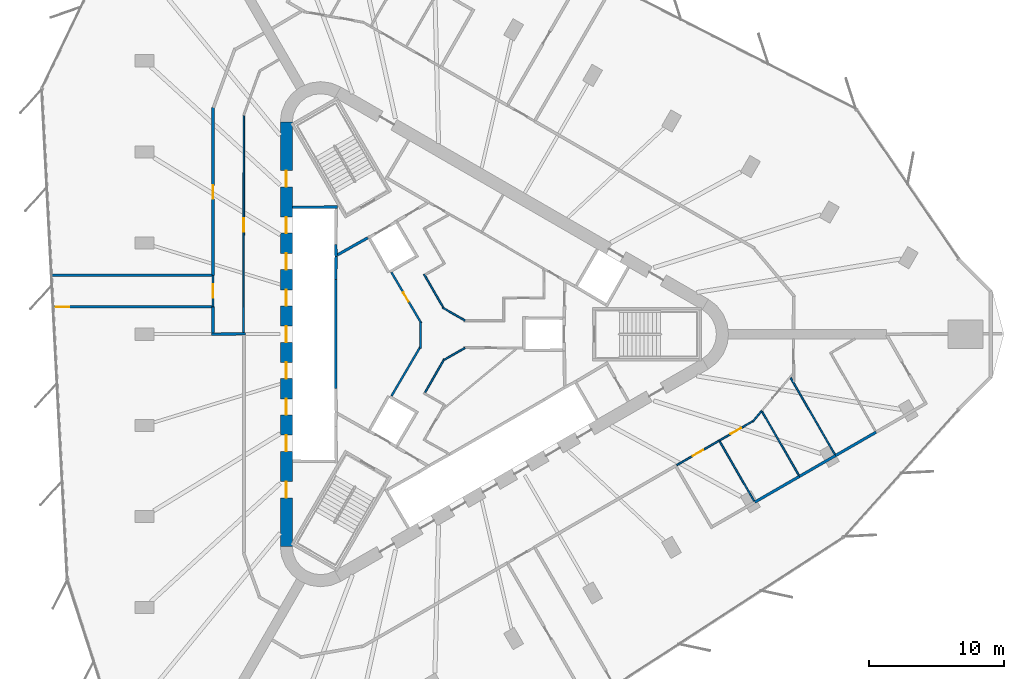
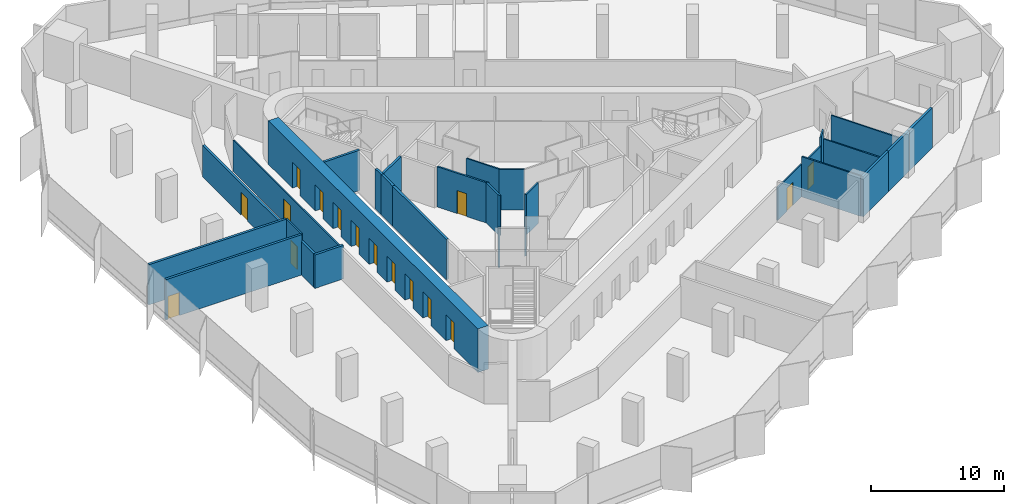
# One storey, part 9 of 14: 29 walls, 16 doors, 16 openings.
"""IFC4 building model written with IfcOpenShell, lengths in metres."""

from ifc_helpers import new_model, si_unit, direction, frame, frame_2d, origin, place, context, subcontext, project, spatial, rectangle, extrude, material, layer, layer_set, type_object, element, fill, save


model = new_model("IFC4")

# Units and contexts
model_context = context("Model", 3, precision=1e-05, world=origin(), true_north=direction((0.0, 1.0)))
body_context = subcontext(model_context, "Body", "Model", "MODEL_VIEW")
ifc_project = project(units=[si_unit("LENGTHUNIT", "METRE"), si_unit("AREAUNIT", "SQUARE_METRE"), si_unit("VOLUMEUNIT", "CUBIC_METRE"), si_unit("PLANEANGLEUNIT", "RADIAN"), si_unit("MASSUNIT", "GRAM", prefix="KILO")], contexts=[model_context])

# Site, building, storey
site_placement = place(None, origin())
site = spatial("IfcSite", under=ifc_project, at=site_placement, CompositionType="ELEMENT")
building_placement = place(site_placement, origin())
building = spatial("IfcBuilding", under=site, at=building_placement, Name="Tanit Gate Tower", CompositionType="ELEMENT")
storey_placement = place(building_placement, frame((0.0, 0.0, 209.199951171875)))
storey = spatial("IfcBuildingStorey", under=building, at=storey_placement, Name="L46", CompositionType="ELEMENT", Elevation=209.199951171875)

# Wall, openings, doors
ifc_material_1 = material(Name="Concrete C50/60", Category="concrete")
ifc_layer_1 = layer(ifc_material_1, 0.89990234375)
ifc_layer_set_1 = layer_set([ifc_layer_1], Name="CORE WALL 900 C50/60")
wall_type_1 = type_object("IfcWallType", Name="CORE WALL 900 C50/60", PredefinedType="SHEAR", material=ifc_layer_set_1)
wall_1_placement = place(storey_placement, frame((-11.64990234375, 15.76171875, 0.0), z_axis=(0.0, 0.0, 1.0), x_axis=(0.0, -1.0, 0.0)))
wall_1 = element("IfcWall", 1, at=wall_1_placement, inside=storey, type_object=wall_type_1, Name="CORE WALL", PredefinedType="SHEAR", context=body_context, shape_type="SweptSolid", body=[
    extrude(rectangle(XDim=31.5234375, YDim=0.89990234375, at=frame_2d((15.76171875, 0.0))), origin(), (0.0, 0.0, 1.0), 4.0),
])
opening_1_placement = place(wall_1_placement, frame((7.061767578125, 0.0, 0.0)))
opening_1 = element("IfcOpeningElement", 2, at=opening_1_placement, cuts=wall_1, Name="Opening LDML1-S12", PredefinedType="OPENING", context=body_context, shape_type="SweptSolid", body=[
    extrude(rectangle(XDim=1.199951171875, YDim=2.39990234375, at=frame_2d((0.60009765625, 1.199951171875))), frame((0.0, 0.4599609375, 0.0), z_axis=(0.0, -1.0, 0.0), x_axis=(1.0, 0.0, 0.0)), (0.0, 0.0, 1.0), 0.919921875),
])
opening_2_placement = place(wall_1_placement, frame((9.76171875, 0.0, 0.0)))
opening_2 = element("IfcOpeningElement", 3, at=opening_2_placement, cuts=wall_1, Name="Opening LDML2-S12", PredefinedType="OPENING", context=body_context, shape_type="SweptSolid", body=[
    extrude(rectangle(XDim=1.199951171875, YDim=2.39990234375, at=frame_2d((0.60009765625, 1.199951171875))), frame((0.0, 0.4599609375, 0.0), z_axis=(0.0, -1.0, 0.0), x_axis=(1.0, 0.0, 0.0)), (0.0, 0.0, 1.0), 0.919921875),
])
opening_3_placement = place(wall_1_placement, frame((12.461669921875, 0.0, 0.0)))
opening_3 = element("IfcOpeningElement", 4, at=opening_3_placement, cuts=wall_1, Name="Opening LDML3-S12", PredefinedType="OPENING", context=body_context, shape_type="SweptSolid", body=[
    extrude(rectangle(XDim=1.199951171875, YDim=2.39990234375, at=frame_2d((0.60009765625, 1.199951171875))), frame((0.0, 0.4599609375, 0.0), z_axis=(0.0, -1.0, 0.0), x_axis=(1.0, 0.0, 0.0)), (0.0, 0.0, 1.0), 0.919921875),
])
opening_4_placement = place(wall_1_placement, frame((15.16162109375, 0.0, 0.0)))
opening_4 = element("IfcOpeningElement", 5, at=opening_4_placement, cuts=wall_1, Name="Opening LDML4-S12", PredefinedType="OPENING", context=body_context, shape_type="SweptSolid", body=[
    extrude(rectangle(XDim=1.199951171875, YDim=2.39990234375, at=frame_2d((0.60009765625, 1.199951171875))), frame((0.0, 0.4599609375, 0.0), z_axis=(0.0, -1.0, 0.0), x_axis=(1.0, 0.0, 0.0)), (0.0, 0.0, 1.0), 0.919921875),
])
opening_5_placement = place(wall_1_placement, frame((17.86181640625, 0.0, 0.0)))
opening_5 = element("IfcOpeningElement", 6, at=opening_5_placement, cuts=wall_1, Name="Opening LDML5-S12", PredefinedType="OPENING", context=body_context, shape_type="SweptSolid", body=[
    extrude(rectangle(XDim=1.199951171875, YDim=2.39990234375, at=frame_2d((0.60009765625, 1.199951171875))), frame((0.0, 0.4599609375, 0.0), z_axis=(0.0, -1.0, 0.0), x_axis=(1.0, 0.0, 0.0)), (0.0, 0.0, 1.0), 0.919921875),
])
opening_6_placement = place(wall_1_placement, frame((20.561767578125, 0.0, 0.0)))
opening_6 = element("IfcOpeningElement", 7, at=opening_6_placement, cuts=wall_1, Name="Opening LDML6-S12", PredefinedType="OPENING", context=body_context, shape_type="SweptSolid", body=[
    extrude(rectangle(XDim=1.199951171875, YDim=2.39990234375, at=frame_2d((0.60009765625, 1.199951171875))), frame((0.0, 0.4599609375, 0.0), z_axis=(0.0, -1.0, 0.0), x_axis=(1.0, 0.0, 0.0)), (0.0, 0.0, 1.0), 0.919921875),
])
opening_7_placement = place(wall_1_placement, frame((23.26171875, 0.0, 0.0)))
opening_7 = element("IfcOpeningElement", 8, at=opening_7_placement, cuts=wall_1, Name="Opening LDML7-S12", PredefinedType="OPENING", context=body_context, shape_type="SweptSolid", body=[
    extrude(rectangle(XDim=1.199951171875, YDim=2.39990234375, at=frame_2d((0.60009765625, 1.199951171875))), frame((0.0, 0.4599609375, 0.0), z_axis=(0.0, -1.0, 0.0), x_axis=(1.0, 0.0, 0.0)), (0.0, 0.0, 1.0), 0.919921875),
])
opening_8_placement = place(wall_1_placement, frame((3.61181640625, 0.0, 0.0)))
opening_8 = element("IfcOpeningElement", 9, at=opening_8_placement, cuts=wall_1, Name="Opening F12-S12-FL2", PredefinedType="OPENING", context=body_context, shape_type="SweptSolid", body=[
    extrude(rectangle(XDim=1.199951171875, YDim=2.39990234375, at=frame_2d((0.60009765625, 1.199951171875))), frame((0.0, 0.4599609375, 0.0), z_axis=(0.0, -1.0, 0.0), x_axis=(1.0, 0.0, 0.0)), (0.0, 0.0, 1.0), 0.919921875),
])
opening_9_placement = place(wall_1_placement, frame((26.711669921875, 0.0, 0.0)))
opening_9 = element("IfcOpeningElement", 10, at=opening_9_placement, cuts=wall_1, Name="Opening F12-S12-S3", PredefinedType="OPENING", context=body_context, shape_type="SweptSolid", body=[
    extrude(rectangle(XDim=1.199951171875, YDim=2.39990234375, at=frame_2d((0.60009765625, 1.199951171875))), frame((0.0, 0.4599609375, 0.0), z_axis=(0.0, -1.0, 0.0), x_axis=(1.0, 0.0, 0.0)), (0.0, 0.0, 1.0), 0.919921875),
])
ifc_material_2 = material(Name="Fire-rated steel door leaf", Category="steel")
door_type_1 = type_object("IfcDoorType", Name="INT-DOOR-FIRE-LOBBY-1200", OperationType="NOTDEFINED", PredefinedType="USERDEFINED", material=ifc_material_2)
door_1_placement = place(opening_8_placement, origin())
door_1 = element("IfcDoor", 11, at=door_1_placement, inside=storey, type_object=door_type_1, Name="Door F12-S12-FL2", ObjectType="FIRE DOOR", OperationType="SINGLE_SWING_LEFT", OverallHeight=2.39990234375, OverallWidth=1.199951171875, PredefinedType="USERDEFINED", context=body_context, shape_type="SweptSolid", body=[
    extrude(rectangle(XDim=1.199951171875, YDim=2.39990234375, at=frame_2d((0.60009765625, 1.199951171875))), frame((0.0, 0.02490234375, 0.0), z_axis=(0.0, -1.0, 0.0), x_axis=(1.0, 0.0, 0.0)), (0.0, 0.0, 1.0), 0.050048828125),
])
fill(opening_8, door_1)
door_2_placement = place(opening_9_placement, origin())
door_2 = element("IfcDoor", 12, at=door_2_placement, inside=storey, type_object=door_type_1, Name="Door F12-S12-S3", ObjectType="FIRE DOOR", OperationType="SINGLE_SWING_LEFT", OverallHeight=2.39990234375, OverallWidth=1.199951171875, PredefinedType="USERDEFINED", context=body_context, shape_type="SweptSolid", body=[
    extrude(rectangle(XDim=1.199951171875, YDim=2.39990234375, at=frame_2d((0.60009765625, 1.199951171875))), frame((0.0, 0.02490234375, 0.0), z_axis=(0.0, -1.0, 0.0), x_axis=(1.0, 0.0, 0.0)), (0.0, 0.0, 1.0), 0.050048828125),
])
fill(opening_9, door_2)
ifc_material_3 = material(Name="Stainless steel sliding door leaf", Category="steel")
door_type_2 = type_object("IfcDoorType", Name="INT-DOOR-LANDING-1200", OperationType="NOTDEFINED", PredefinedType="USERDEFINED", material=ifc_material_3)
door_3_placement = place(opening_1_placement, origin())
door_3 = element("IfcDoor", 13, at=door_3_placement, inside=storey, type_object=door_type_2, Name="Door LDML1-S12", ObjectType="LANDING DOOR", OperationType="SLIDING_TO_LEFT", OverallHeight=2.39990234375, OverallWidth=1.199951171875, PredefinedType="USERDEFINED", context=body_context, shape_type="SweptSolid", body=[
    extrude(rectangle(XDim=1.199951171875, YDim=2.39990234375, at=frame_2d((0.60009765625, 1.199951171875))), frame((0.0, 0.02490234375, 0.0), z_axis=(0.0, -1.0, 0.0), x_axis=(1.0, 0.0, 0.0)), (0.0, 0.0, 1.0), 0.050048828125),
])
fill(opening_1, door_3)
door_4_placement = place(opening_2_placement, origin())
door_4 = element("IfcDoor", 14, at=door_4_placement, inside=storey, type_object=door_type_2, Name="Door LDML2-S12", ObjectType="LANDING DOOR", OperationType="SLIDING_TO_LEFT", OverallHeight=2.39990234375, OverallWidth=1.199951171875, PredefinedType="USERDEFINED", context=body_context, shape_type="SweptSolid", body=[
    extrude(rectangle(XDim=1.199951171875, YDim=2.39990234375, at=frame_2d((0.60009765625, 1.199951171875))), frame((0.0, 0.02490234375, 0.0), z_axis=(0.0, -1.0, 0.0), x_axis=(1.0, 0.0, 0.0)), (0.0, 0.0, 1.0), 0.050048828125),
])
fill(opening_2, door_4)
door_5_placement = place(opening_3_placement, origin())
door_5 = element("IfcDoor", 15, at=door_5_placement, inside=storey, type_object=door_type_2, Name="Door LDML3-S12", ObjectType="LANDING DOOR", OperationType="SLIDING_TO_LEFT", OverallHeight=2.39990234375, OverallWidth=1.199951171875, PredefinedType="USERDEFINED", context=body_context, shape_type="SweptSolid", body=[
    extrude(rectangle(XDim=1.199951171875, YDim=2.39990234375, at=frame_2d((0.60009765625, 1.199951171875))), frame((0.0, 0.02490234375, 0.0), z_axis=(0.0, -1.0, 0.0), x_axis=(1.0, 0.0, 0.0)), (0.0, 0.0, 1.0), 0.050048828125),
])
fill(opening_3, door_5)
door_6_placement = place(opening_4_placement, origin())
door_6 = element("IfcDoor", 16, at=door_6_placement, inside=storey, type_object=door_type_2, Name="Door LDML4-S12", ObjectType="LANDING DOOR", OperationType="SLIDING_TO_LEFT", OverallHeight=2.39990234375, OverallWidth=1.199951171875, PredefinedType="USERDEFINED", context=body_context, shape_type="SweptSolid", body=[
    extrude(rectangle(XDim=1.199951171875, YDim=2.39990234375, at=frame_2d((0.60009765625, 1.199951171875))), frame((0.0, 0.02490234375, 0.0), z_axis=(0.0, -1.0, 0.0), x_axis=(1.0, 0.0, 0.0)), (0.0, 0.0, 1.0), 0.050048828125),
])
fill(opening_4, door_6)
door_7_placement = place(opening_5_placement, origin())
door_7 = element("IfcDoor", 17, at=door_7_placement, inside=storey, type_object=door_type_2, Name="Door LDML5-S12", ObjectType="LANDING DOOR", OperationType="SLIDING_TO_LEFT", OverallHeight=2.39990234375, OverallWidth=1.199951171875, PredefinedType="USERDEFINED", context=body_context, shape_type="SweptSolid", body=[
    extrude(rectangle(XDim=1.199951171875, YDim=2.39990234375, at=frame_2d((0.60009765625, 1.199951171875))), frame((0.0, 0.02490234375, 0.0), z_axis=(0.0, -1.0, 0.0), x_axis=(1.0, 0.0, 0.0)), (0.0, 0.0, 1.0), 0.050048828125),
])
fill(opening_5, door_7)
door_8_placement = place(opening_6_placement, origin())
door_8 = element("IfcDoor", 18, at=door_8_placement, inside=storey, type_object=door_type_2, Name="Door LDML6-S12", ObjectType="LANDING DOOR", OperationType="SLIDING_TO_LEFT", OverallHeight=2.39990234375, OverallWidth=1.199951171875, PredefinedType="USERDEFINED", context=body_context, shape_type="SweptSolid", body=[
    extrude(rectangle(XDim=1.199951171875, YDim=2.39990234375, at=frame_2d((0.60009765625, 1.199951171875))), frame((0.0, 0.02490234375, 0.0), z_axis=(0.0, -1.0, 0.0), x_axis=(1.0, 0.0, 0.0)), (0.0, 0.0, 1.0), 0.050048828125),
])
fill(opening_6, door_8)
door_9_placement = place(opening_7_placement, origin())
door_9 = element("IfcDoor", 19, at=door_9_placement, inside=storey, type_object=door_type_2, Name="Door LDML7-S12", ObjectType="LANDING DOOR", OperationType="SLIDING_TO_LEFT", OverallHeight=2.39990234375, OverallWidth=1.199951171875, PredefinedType="USERDEFINED", context=body_context, shape_type="SweptSolid", body=[
    extrude(rectangle(XDim=1.199951171875, YDim=2.39990234375, at=frame_2d((0.60009765625, 1.199951171875))), frame((0.0, 0.02490234375, 0.0), z_axis=(0.0, -1.0, 0.0), x_axis=(1.0, 0.0, 0.0)), (0.0, 0.0, 1.0), 0.050048828125),
])
fill(opening_7, door_9)

# Walls
ifc_material_4 = material(Name="Fire-rated gypsum board partition")
ifc_layer_2 = layer(ifc_material_4, 0.199951171875)
ifc_layer_set_2 = layer_set([ifc_layer_2], Name="INT-WALL-COMPARTMENT")
wall_type_2 = type_object("IfcWallType", Name="INT-WALL-COMPARTMENT", PredefinedType="PARTITIONING", material=ifc_layer_set_2)
wall_2_placement = place(storey_placement, frame((-5.600341796875, 7.16015625, 0.0), z_axis=(0.0, 0.0, 1.0), x_axis=(-0.871340486379, -0.490678873396, 0.0)))
element("IfcWall", 20, at=wall_2_placement, inside=storey, type_object=wall_type_2, Name="Wall Compartment W061", PredefinedType="PARTITIONING", context=body_context, shape_type="SweptSolid", body=[
    extrude(rectangle(XDim=2.580810546875, YDim=0.199951171875, at=frame_2d((1.29052734375, 0.0))), origin(), (0.0, 0.0, 1.0), 3.699951171875),
])
wall_3_placement = place(storey_placement, frame((-17.199951171875, -0.001220703125, 0.0), z_axis=(0.0, 0.0, 1.0), x_axis=(0.999915662945, 0.012987185857, 0.0)))
element("IfcWall", 21, at=wall_3_placement, inside=storey, type_object=wall_type_2, Name="Wall Compartment W090", PredefinedType="PARTITIONING", context=body_context, shape_type="SweptSolid", body=[
    extrude(rectangle(XDim=2.500244140625, YDim=0.199951171875, at=frame_2d((1.25, 0.0))), origin(), (0.0, 0.0, 1.0), 3.070068359375),
])

# Wall, opening, door
wall_4_placement = place(storey_placement, frame((-17.10009765625, 16.82275390625, 0.0), z_axis=(0.0, 0.0, 1.0), x_axis=(0.0, -1.0, 0.0)))
wall_4 = element("IfcWall", 22, at=wall_4_placement, inside=storey, type_object=wall_type_2, Name="Wall Compartment W092", PredefinedType="PARTITIONING", context=body_context, shape_type="SweptSolid", body=[
    extrude(rectangle(XDim=12.47265625, YDim=0.199951171875, at=frame_2d((6.236328125, 0.0))), origin(), (0.0, 0.0, 1.0), 2.880126953125),
])
opening_10_placement = place(wall_4_placement, frame((5.7763671875, 0.0, 0.0)))
opening_10 = element("IfcOpeningElement", 23, at=opening_10_placement, cuts=wall_4, Name="Opening F10-S12-31", PredefinedType="OPENING", context=body_context, shape_type="SweptSolid", body=[
    extrude(rectangle(XDim=1.0, YDim=2.10009765625, at=frame_2d((0.5, 1.050048828125))), frame((0.0, 0.10986328125, 0.0), z_axis=(0.0, -1.0, 0.0), x_axis=(1.0, 0.0, 0.0)), (0.0, 0.0, 1.0), 0.219970703125),
])
ifc_material_5 = material(Name="Fire-rated steel door leaf", Category="steel")
door_type_3 = type_object("IfcDoorType", Name="INT-DOOR-FIRE-1000", OperationType="NOTDEFINED", PredefinedType="USERDEFINED", material=ifc_material_5)
door_10_placement = place(opening_10_placement, origin())
door_10 = element("IfcDoor", 24, at=door_10_placement, inside=storey, type_object=door_type_3, Name="Door F10-S12-31", ObjectType="FIRE DOOR", OperationType="SINGLE_SWING_LEFT", OverallHeight=2.10009765625, OverallWidth=1.0, PredefinedType="USERDEFINED", context=body_context, shape_type="SweptSolid", body=[
    extrude(rectangle(XDim=1.0, YDim=2.10009765625, at=frame_2d((0.5, 1.050048828125))), frame((0.0, 0.02490234375, 0.0), z_axis=(0.0, -1.0, 0.0), x_axis=(1.0, 0.0, 0.0)), (0.0, 0.0, 1.0), 0.050048828125),
])
fill(opening_10, door_10)

# Wall
wall_5_placement = place(storey_placement, frame((-17.10009765625, 2.050048828125, 0.0), z_axis=(0.0, 0.0, 1.0), x_axis=(0.0, -1.0, 0.0)))
element("IfcWall", 25, at=wall_5_placement, inside=storey, type_object=wall_type_2, Name="Wall Compartment W091", PredefinedType="PARTITIONING", context=body_context, shape_type="SweptSolid", body=[
    extrude(rectangle(XDim=1.949951171875, YDim=0.199951171875, at=frame_2d((0.97509765625, 0.0))), origin(), (0.0, 0.0, 1.0), 3.070068359375),
])

# Wall, opening, door
wall_6_placement = place(storey_placement, frame((-28.978515625, 2.030029296875, 0.0), z_axis=(0.0, 0.0, 1.0), x_axis=(1.0, 0.0, 0.0)))
wall_6 = element("IfcWall", 26, at=wall_6_placement, inside=storey, type_object=wall_type_2, Name="Wall Compartment W119", PredefinedType="PARTITIONING", context=body_context, shape_type="SweptSolid", body=[
    extrude(rectangle(XDim=11.818603515625, YDim=0.199951171875, at=frame_2d((5.9091796875, 0.0))), origin(), (0.0, 0.0, 1.0), 3.699951171875),
])
opening_11_placement = place(wall_6_placement, frame((0.199951171875, 0.0, 0.0)))
opening_11 = element("IfcOpeningElement", 27, at=opening_11_placement, cuts=wall_6, Name="Opening F10-S12-30", PredefinedType="OPENING", context=body_context, shape_type="SweptSolid", body=[
    extrude(rectangle(XDim=1.0, YDim=2.10009765625, at=frame_2d((0.5, 1.050048828125))), frame((0.0, 0.10986328125, 0.0), z_axis=(0.0, -1.0, 0.0), x_axis=(1.0, 0.0, 0.0)), (0.0, 0.0, 1.0), 0.219970703125),
])
door_11_placement = place(opening_11_placement, origin())
door_11 = element("IfcDoor", 28, at=door_11_placement, inside=storey, type_object=door_type_3, Name="Door F10-S12-30", ObjectType="FIRE DOOR", OperationType="SINGLE_SWING_LEFT", OverallHeight=2.10009765625, OverallWidth=1.0, PredefinedType="USERDEFINED", context=body_context, shape_type="SweptSolid", body=[
    extrude(rectangle(XDim=1.0, YDim=2.10009765625, at=frame_2d((0.5, 1.050048828125))), frame((0.0, 0.02490234375, 0.0), z_axis=(0.0, -1.0, 0.0), x_axis=(1.0, 0.0, 0.0)), (0.0, 0.0, 1.0), 0.050048828125),
])
fill(opening_11, door_11)

# Walls
wall_7_placement = place(storey_placement, frame((-17.159912109375, 4.3701171875, 0.0), z_axis=(0.0, 0.0, 1.0), x_axis=(-1.0, 0.0, 0.0)))
element("IfcWall", 29, at=wall_7_placement, inside=storey, type_object=wall_type_2, Name="Wall Compartment W120", PredefinedType="PARTITIONING", context=body_context, shape_type="SweptSolid", body=[
    extrude(rectangle(XDim=11.9404296875, YDim=0.199951171875, at=frame_2d((5.97021484375, 0.0))), origin(), (0.0, 0.0, 1.0), 3.699951171875),
])
wall_8_placement = place(storey_placement, frame((32.154052734375, -7.278076171875, 0.0), z_axis=(0.0, 0.0, 1.0), x_axis=(-0.866015890035, -0.500016477935, 0.0)))
element("IfcWall", 30, at=wall_8_placement, inside=storey, type_object=wall_type_2, Name="Wall Compartment W142", PredefinedType="PARTITIONING", context=body_context, shape_type="SweptSolid", body=[
    extrude(rectangle(XDim=3.47412109375, YDim=0.199951171875, at=frame_2d((1.737060546875, 0.0))), origin(), (0.0, 0.0, 1.0), 3.699951171875),
])
wall_9_placement = place(storey_placement, frame((29.1455078125, -9.01513671875, 0.0), z_axis=(0.0, 0.0, 1.0), x_axis=(-0.866051371129, -0.499955020542, 0.0)))
element("IfcWall", 31, at=wall_9_placement, inside=storey, type_object=wall_type_2, Name="Wall Compartment W141", PredefinedType="PARTITIONING", context=body_context, shape_type="SweptSolid", body=[
    extrude(rectangle(XDim=3.089599609375, YDim=0.199951171875, at=frame_2d((1.544921875, 0.0))), origin(), (0.0, 0.0, 1.0), 3.699951171875),
])
wall_10_placement = place(storey_placement, frame((26.4697265625, -10.559814453125, 0.0), z_axis=(0.0, 0.0, 1.0), x_axis=(-0.866017015294, -0.50001452901, 0.0)))
element("IfcWall", 32, at=wall_10_placement, inside=storey, type_object=wall_type_2, Name="Wall Compartment W140", PredefinedType="PARTITIONING", context=body_context, shape_type="SweptSolid", body=[
    extrude(rectangle(XDim=3.8349609375, YDim=0.199951171875, at=frame_2d((1.91748046875, 0.0))), origin(), (0.0, 0.0, 1.0), 3.699951171875),
])
ifc_material_6 = material(Name="Gypsum board partition")
ifc_layer_3 = layer(ifc_material_6, 0.1201171875)
ifc_layer_set_3 = layer_set([ifc_layer_3], Name="INT-WALL-PARTITION")
wall_type_3 = type_object("IfcWallType", Name="INT-WALL-PARTITION", PredefinedType="PARTITIONING", material=ifc_layer_set_3)
wall_11_placement = place(storey_placement, frame((0.09521484375, -1.8349609375, 0.0), z_axis=(0.0, 0.0, 1.0), x_axis=(-0.499980071345, -0.866036909293, 0.0)))
element("IfcWall", 33, at=wall_11_placement, inside=storey, type_object=wall_type_3, Name="Wall Partition W074", PredefinedType="PARTITIONING", context=body_context, shape_type="SweptSolid", body=[
    extrude(rectangle(XDim=2.8984375, YDim=0.1201171875, at=frame_2d((1.44921875, 0.0))), origin(), (0.0, 0.0, 1.0), 3.699951171875),
])
wall_12_placement = place(storey_placement, frame((1.629150390625, -1.009521484375, 0.0), z_axis=(0.0, 0.0, 1.0), x_axis=(-0.866046528967, -0.499963408325, 0.0)))
element("IfcWall", 34, at=wall_12_placement, inside=storey, type_object=wall_type_3, Name="Wall Partition W075", PredefinedType="PARTITIONING", context=body_context, shape_type="SweptSolid", body=[
    extrude(rectangle(XDim=1.812744140625, YDim=0.1201171875, at=frame_2d((0.90625, 0.0))), origin(), (0.0, 0.0, 1.0), 3.699951171875),
])
wall_13_placement = place(storey_placement, frame((-0.046630859375, 1.97705078125, 0.0), z_axis=(0.0, 0.0, 1.0), x_axis=(0.865998615205, -0.500046396311, 0.0)))
element("IfcWall", 35, at=wall_13_placement, inside=storey, type_object=wall_type_3, Name="Wall Partition W081", PredefinedType="PARTITIONING", context=body_context, shape_type="SweptSolid", body=[
    extrude(rectangle(XDim=1.935302734375, YDim=0.1201171875, at=frame_2d((0.9677734375, 0.0))), origin(), (0.0, 0.0, 1.0), 3.699951171875),
])
wall_14_placement = place(storey_placement, frame((-1.4140625, 4.448974609375, 0.0), z_axis=(0.0, 0.0, 1.0), x_axis=(0.500028961621, -0.866008682139, 0.0)))
element("IfcWall", 36, at=wall_14_placement, inside=storey, type_object=wall_type_3, Name="Wall Partition W082", PredefinedType="PARTITIONING", context=body_context, shape_type="SweptSolid", body=[
    extrude(rectangle(XDim=2.895751953125, YDim=0.1201171875, at=frame_2d((1.44775390625, 0.0))), origin(), (0.0, 0.0, 1.0), 3.699951171875),
])

# Wall, opening, door
wall_15_placement = place(storey_placement, frame((-14.800048828125, 16.257080078125, 0.0), z_axis=(0.0, 0.0, 1.0), x_axis=(-0.001847148781, -0.999998294019, 0.0)))
wall_15 = element("IfcWall", 37, at=wall_15_placement, inside=storey, type_object=wall_type_3, Name="Wall Partition W088", PredefinedType="PARTITIONING", context=body_context, shape_type="SweptSolid", body=[
    extrude(rectangle(XDim=16.257080078125, YDim=0.1201171875, at=frame_2d((8.12841796875, 0.0))), origin(), (0.0, 0.0, 1.0), 2.880126953125),
])
opening_12_placement = place(wall_15_placement, frame((7.628662109375, 0.0, 0.0)))
opening_12 = element("IfcOpeningElement", 38, at=opening_12_placement, cuts=wall_15, Name="Opening D10-S12-17", PredefinedType="OPENING", context=body_context, shape_type="SweptSolid", body=[
    extrude(rectangle(XDim=1.0, YDim=2.10009765625, at=frame_2d((0.5, 1.050048828125))), frame((0.0, 0.070068359375, 0.0), z_axis=(0.0, -1.0, 0.0), x_axis=(1.0, 0.0, 0.0)), (0.0, 0.0, 1.0), 0.14013671875),
])
ifc_material_7 = material(Name="Timber door leaf", Category="wood")
door_type_4 = type_object("IfcDoorType", Name="INT-DOOR-SINGLE-1000", OperationType="NOTDEFINED", PredefinedType="NOTDEFINED", material=ifc_material_7)
door_12_placement = place(opening_12_placement, origin())
door_12 = element("IfcDoor", 39, at=door_12_placement, inside=storey, type_object=door_type_4, Name="Door D10-S12-17", OperationType="SINGLE_SWING_LEFT", OverallHeight=2.10009765625, OverallWidth=1.0, PredefinedType="NOTDEFINED", context=body_context, shape_type="SweptSolid", body=[
    extrude(rectangle(XDim=1.0, YDim=2.10009765625, at=frame_2d((0.5, 1.050048828125))), frame((0.0, 0.02490234375, 0.0), z_axis=(0.0, -1.0, 0.0), x_axis=(1.0, 0.0, 0.0)), (0.0, 0.0, 1.0), 0.050048828125),
])
fill(opening_12, door_12)

wall_16_placement = place(storey_placement, frame((-17.10009765625, 4.35009765625, 0.0), z_axis=(0.0, 0.0, 1.0), x_axis=(0.0, -1.0, 0.0)))
wall_16 = element("IfcWall", 40, at=wall_16_placement, inside=storey, type_object=wall_type_3, Name="Wall Partition W089", PredefinedType="PARTITIONING", context=body_context, shape_type="SweptSolid", body=[
    extrude(rectangle(XDim=2.300048828125, YDim=0.1201171875, at=frame_2d((1.14990234375, 0.0))), origin(), (0.0, 0.0, 1.0), 3.699951171875),
])
opening_13_placement = place(wall_16_placement, frame((0.64990234375, 0.0, 0.0)))
opening_13 = element("IfcOpeningElement", 41, at=opening_13_placement, cuts=wall_16, Name="Opening D10-S12-18", PredefinedType="OPENING", context=body_context, shape_type="SweptSolid", body=[
    extrude(rectangle(XDim=1.0, YDim=2.10009765625, at=frame_2d((0.5, 1.050048828125))), frame((0.0, 0.070068359375, 0.0), z_axis=(0.0, -1.0, 0.0), x_axis=(1.0, 0.0, 0.0)), (0.0, 0.0, 1.0), 0.14013671875),
])
door_13_placement = place(opening_13_placement, origin())
door_13 = element("IfcDoor", 42, at=door_13_placement, inside=storey, type_object=door_type_4, Name="Door D10-S12-18", OperationType="SINGLE_SWING_LEFT", OverallHeight=2.10009765625, OverallWidth=1.0, PredefinedType="NOTDEFINED", context=body_context, shape_type="SweptSolid", body=[
    extrude(rectangle(XDim=1.0, YDim=2.10009765625, at=frame_2d((0.5, 1.050048828125))), frame((0.0, 0.02490234375, 0.0), z_axis=(0.0, -1.0, 0.0), x_axis=(1.0, 0.0, 0.0)), (0.0, 0.0, 1.0), 0.050048828125),
])
fill(opening_13, door_13)

wall_17_placement = place(storey_placement, frame((17.357421875, -9.72412109375, 0.0), z_axis=(0.0, 0.0, 1.0), x_axis=(0.866021334019, 0.500007048974, 0.0)))
wall_17 = element("IfcWall", 43, at=wall_17_placement, inside=storey, type_object=wall_type_3, Name="Wall Partition W114", PredefinedType="PARTITIONING", context=body_context, shape_type="SweptSolid", body=[
    extrude(rectangle(XDim=3.638671875, YDim=0.1201171875, at=frame_2d((1.8193359375, 0.0))), origin(), (0.0, 0.0, 1.0), 2.97998046875),
])
opening_14_placement = place(wall_17_placement, frame((1.369384765625, 0.0, 0.0)))
opening_14 = element("IfcOpeningElement", 44, at=opening_14_placement, cuts=wall_17, Name="Opening D09-S12-25", PredefinedType="OPENING", context=body_context, shape_type="SweptSolid", body=[
    extrude(rectangle(XDim=0.89990234375, YDim=2.10009765625, at=frame_2d((0.449951171875, 1.050048828125))), frame((0.0, 0.070068359375, 0.0), z_axis=(0.0, -1.0, 0.0), x_axis=(1.0, 0.0, 0.0)), (0.0, 0.0, 1.0), 0.14013671875),
])
ifc_material_8 = material(Name="Timber door leaf", Category="wood")
door_type_5 = type_object("IfcDoorType", Name="INT-DOOR-SINGLE-900", OperationType="NOTDEFINED", PredefinedType="NOTDEFINED", material=ifc_material_8)
door_14_placement = place(opening_14_placement, origin())
door_14 = element("IfcDoor", 45, at=door_14_placement, inside=storey, type_object=door_type_5, Name="Door D09-S12-25", OperationType="SINGLE_SWING_LEFT", OverallHeight=2.10009765625, OverallWidth=0.89990234375, PredefinedType="NOTDEFINED", context=body_context, shape_type="SweptSolid", body=[
    extrude(rectangle(XDim=0.89990234375, YDim=2.10009765625, at=frame_2d((0.449951171875, 1.050048828125))), frame((0.0, 0.02490234375, 0.0), z_axis=(0.0, -1.0, 0.0), x_axis=(1.0, 0.0, 0.0)), (0.0, 0.0, 1.0), 0.050048828125),
])
fill(opening_14, door_14)

wall_18_placement = place(storey_placement, frame((20.508544921875, -7.90478515625, 0.0), z_axis=(0.0, 0.0, 1.0), x_axis=(0.866028890243, 0.499993961228, 0.0)))
wall_18 = element("IfcWall", 46, at=wall_18_placement, inside=storey, type_object=wall_type_3, Name="Wall Partition W116", PredefinedType="PARTITIONING", context=body_context, shape_type="SweptSolid", body=[
    extrude(rectangle(XDim=2.85400390625, YDim=0.1201171875, at=frame_2d((1.427001953125, 0.0))), origin(), (0.0, 0.0, 1.0), 2.880126953125),
])
opening_15_placement = place(wall_18_placement, frame((0.97705078125, 0.0, 0.0)))
opening_15 = element("IfcOpeningElement", 47, at=opening_15_placement, cuts=wall_18, Name="Opening D09-S12-26", PredefinedType="OPENING", context=body_context, shape_type="SweptSolid", body=[
    extrude(rectangle(XDim=0.89990234375, YDim=2.10009765625, at=frame_2d((0.449951171875, 1.050048828125))), frame((0.0, 0.070068359375, 0.0), z_axis=(0.0, -1.0, 0.0), x_axis=(1.0, 0.0, 0.0)), (0.0, 0.0, 1.0), 0.14013671875),
])
door_15_placement = place(opening_15_placement, origin())
door_15 = element("IfcDoor", 48, at=door_15_placement, inside=storey, type_object=door_type_5, Name="Door D09-S12-26", OperationType="SINGLE_SWING_LEFT", OverallHeight=2.10009765625, OverallWidth=0.89990234375, PredefinedType="NOTDEFINED", context=body_context, shape_type="SweptSolid", body=[
    extrude(rectangle(XDim=0.89990234375, YDim=2.10009765625, at=frame_2d((0.449951171875, 1.050048828125))), frame((0.0, 0.02490234375, 0.0), z_axis=(0.0, -1.0, 0.0), x_axis=(1.0, 0.0, 0.0)), (0.0, 0.0, 1.0), 0.050048828125),
])
fill(opening_15, door_15)

# Walls
wall_19_placement = place(storey_placement, frame((22.99365234375, -6.49365234375, 0.0), z_axis=(0.0, 0.0, 1.0), x_axis=(0.642788403247, 0.766043777242, 0.0)))
element("IfcWall", 49, at=wall_19_placement, inside=storey, type_object=wall_type_3, Name="Wall Partition W115", PredefinedType="PARTITIONING", context=body_context, shape_type="SweptSolid", body=[
    extrude(rectangle(XDim=1.0498046875, YDim=0.1201171875, at=frame_2d((0.52490234375, 0.0))), origin(), (0.0, 0.0, 1.0), 3.699951171875),
])
wall_20_placement = place(storey_placement, frame((20.53857421875, -7.956787109375, 0.0), z_axis=(0.0, 0.0, 1.0), x_axis=(0.500026528015, -0.866010087286, 0.0)))
element("IfcWall", 50, at=wall_20_placement, inside=storey, type_object=wall_type_3, Name="Wall Partition W148", PredefinedType="PARTITIONING", context=body_context, shape_type="SweptSolid", body=[
    extrude(rectangle(XDim=5.119873046875, YDim=0.1201171875, at=frame_2d((2.56005859375, 0.0))), origin(), (0.0, 0.0, 1.0), 3.699951171875),
])
wall_21_placement = place(storey_placement, frame((26.419677734375, -10.473388671875, 0.0), z_axis=(0.0, 0.0, 1.0), x_axis=(-0.499992537871, 0.866029712004, 0.0)))
element("IfcWall", 51, at=wall_21_placement, inside=storey, type_object=wall_type_3, Name="Wall Partition W149", PredefinedType="PARTITIONING", context=body_context, shape_type="SweptSolid", body=[
    extrude(rectangle(XDim=5.451171875, YDim=0.1201171875, at=frame_2d((2.7255859375, 0.0))), origin(), (0.0, 0.0, 1.0), 2.880126953125),
])
wall_22_placement = place(storey_placement, frame((25.8076171875, -3.233642578125, 0.0), z_axis=(0.0, 0.0, 1.0), x_axis=(0.499992415469, -0.866029782671, 0.0)))
element("IfcWall", 52, at=wall_22_placement, inside=storey, type_object=wall_type_3, Name="Wall Partition W150", PredefinedType="PARTITIONING", context=body_context, shape_type="SweptSolid", body=[
    extrude(rectangle(XDim=6.57568359375, YDim=0.1201171875, at=frame_2d((3.287841796875, 0.0))), origin(), (0.0, 0.0, 1.0), 2.780029296875),
])

# Wall, opening, door
ifc_material_9 = material(Name="Fire-rated gypsum board partition")
ifc_layer_4 = layer(ifc_material_9, 0.14990234375)
ifc_layer_set_4 = layer_set([ifc_layer_4], Name="INT-WALL-RISER")
wall_type_4 = type_object("IfcWallType", Name="INT-WALL-RISER", PredefinedType="PLUMBINGWALL", material=ifc_layer_set_4)
wall_23_placement = place(storey_placement, frame((-1.6240234375, 0.814697265625, 0.0), z_axis=(0.0, 0.0, 1.0), x_axis=(-0.505868173579, 0.862610799237, 0.0)))
wall_23 = element("IfcWall", 53, at=wall_23_placement, inside=storey, type_object=wall_type_4, Name="Wall Riser W065", PredefinedType="PLUMBINGWALL", context=body_context, shape_type="SweptSolid", body=[
    extrude(rectangle(XDim=4.382568359375, YDim=0.14990234375, at=frame_2d((2.19140625, 0.0))), origin(), (0.0, 0.0, 1.0), 3.699951171875),
])
opening_16_placement = place(wall_23_placement, frame((1.855224609375, 0.0, 0.0)))
opening_16 = element("IfcOpeningElement", 54, at=opening_16_placement, cuts=wall_23, Name="Opening R08-S12-10", PredefinedType="OPENING", context=body_context, shape_type="SweptSolid", body=[
    extrude(rectangle(XDim=0.800048828125, YDim=2.10009765625, at=frame_2d((0.39990234375, 1.050048828125))), frame((0.0, 0.0849609375, 0.0), z_axis=(0.0, -1.0, 0.0), x_axis=(1.0, 0.0, 0.0)), (0.0, 0.0, 1.0), 0.169921875),
])
ifc_material_10 = material(Name="Timber door leaf", Category="wood")
door_type_6 = type_object("IfcDoorType", Name="INT-DOOR-RISER-800", OperationType="NOTDEFINED", PredefinedType="USERDEFINED", material=ifc_material_10)
door_16_placement = place(opening_16_placement, origin())
door_16 = element("IfcDoor", 55, at=door_16_placement, inside=storey, type_object=door_type_6, Name="Door R08-S12-10", ObjectType="FIRE DOOR", OperationType="SINGLE_SWING_RIGHT", OverallHeight=2.10009765625, OverallWidth=0.800048828125, PredefinedType="USERDEFINED", context=body_context, shape_type="SweptSolid", body=[
    extrude(rectangle(XDim=0.800048828125, YDim=2.10009765625, at=frame_2d((0.39990234375, 1.050048828125))), frame((0.0, 0.02490234375, 0.0), z_axis=(0.0, -1.0, 0.0), x_axis=(1.0, 0.0, 0.0)), (0.0, 0.0, 1.0), 0.050048828125),
])
fill(opening_16, door_16)

# Walls
wall_24_placement = place(storey_placement, frame((-1.688720703125, -1.052978515625, 0.0), z_axis=(0.0, 0.0, 1.0), x_axis=(0.0, 1.0, 0.0)))
element("IfcWall", 56, at=wall_24_placement, inside=storey, type_object=wall_type_4, Name="Wall Riser W066", PredefinedType="PLUMBINGWALL", context=body_context, shape_type="SweptSolid", body=[
    extrude(rectangle(XDim=1.954345703125, YDim=0.14990234375, at=frame_2d((0.97705078125, 0.0))), origin(), (0.0, 0.0, 1.0), 3.699951171875),
])
wall_25_placement = place(storey_placement, frame((-3.841064453125, -4.59521484375, 0.0), z_axis=(0.0, 0.0, 1.0), x_axis=(0.505857207696, 0.862617229959, 0.0)))
element("IfcWall", 57, at=wall_25_placement, inside=storey, type_object=wall_type_4, Name="Wall Riser W067", PredefinedType="PLUMBINGWALL", context=body_context, shape_type="SweptSolid", body=[
    extrude(rectangle(XDim=4.231201171875, YDim=0.14990234375, at=frame_2d((2.11572265625, 0.0))), origin(), (0.0, 0.0, 1.0), 3.699951171875),
])
ifc_material_11 = material(Name="Gypsum shaft wall system")
ifc_layer_5 = layer(ifc_material_11, 0.199951171875)
ifc_layer_set_5 = layer_set([ifc_layer_5], Name="INT-WALL-SHAFT")
wall_type_5 = type_object("IfcWallType", Name="INT-WALL-SHAFT", PredefinedType="PLUMBINGWALL", material=ifc_layer_set_5)
wall_26_placement = place(storey_placement, frame((-11.199951171875, 9.419921875, 0.0), z_axis=(0.0, 0.0, 1.0), x_axis=(0.999957167047, 0.009255488683, 0.0)))
element("IfcWall", 58, at=wall_26_placement, inside=storey, type_object=wall_type_5, Name="Wall Shaft W001", PredefinedType="PLUMBINGWALL", context=body_context, shape_type="SweptSolid", body=[
    extrude(rectangle(XDim=3.35009765625, YDim=0.199951171875, at=frame_2d((1.675048828125, 0.0))), origin(), (0.0, 0.0, 1.0), 3.699951171875),
])
wall_27_placement = place(storey_placement, frame((-7.97705078125, 6.650146484375, 0.0), z_axis=(0.0, 0.0, 1.0), x_axis=(0.030861509705, -0.999523670164, 0.0)))
element("IfcWall", 59, at=wall_27_placement, inside=storey, type_object=wall_type_5, Name="Wall Shaft W003", PredefinedType="PLUMBINGWALL", context=body_context, shape_type="SweptSolid", body=[
    extrude(rectangle(XDim=0.878173828125, YDim=0.199951171875, at=frame_2d((0.43896484375, 0.0))), origin(), (0.0, 0.0, 1.0), 3.699951171875),
])
wall_28_placement = place(storey_placement, frame((-7.948974609375, 5.894287109375, 0.0), z_axis=(0.0, 0.0, 1.0), x_axis=(-0.016809909365, -0.999858703491, 0.0)))
element("IfcWall", 60, at=wall_28_placement, inside=storey, type_object=wall_type_5, Name="Wall Shaft W004", PredefinedType="PLUMBINGWALL", context=body_context, shape_type="SweptSolid", body=[
    extrude(rectangle(XDim=1.844482421875, YDim=0.199951171875, at=frame_2d((0.92236328125, 0.0))), origin(), (0.0, 0.0, 1.0), 3.699951171875),
])
wall_29_placement = place(storey_placement, frame((-7.97998046875, 4.050048828125, 0.0), z_axis=(0.0, 0.0, 1.0), x_axis=(0.0, -1.0, 0.0)))
element("IfcWall", 61, at=wall_29_placement, inside=storey, type_object=wall_type_5, Name="Wall Shaft W005", PredefinedType="PLUMBINGWALL", context=body_context, shape_type="SweptSolid", body=[
    extrude(rectangle(XDim=8.10009765625, YDim=0.199951171875, at=frame_2d((4.050048828125, 0.0))), origin(), (0.0, 0.0, 1.0), 3.699951171875),
])

save(model, "model.ifc")
